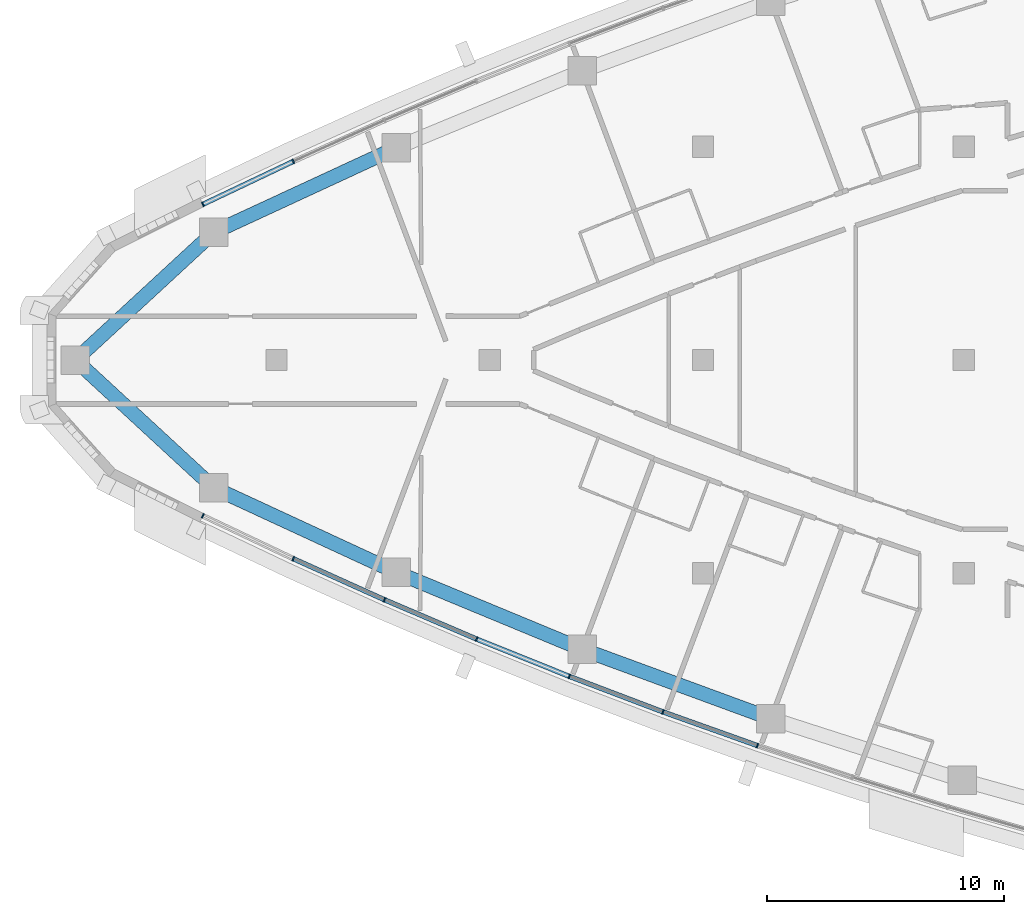
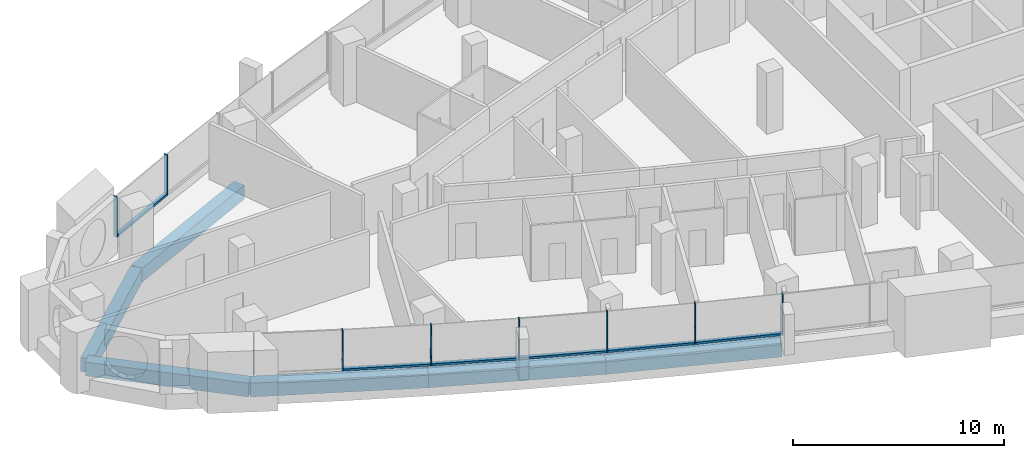
# One storey, part 2 of 16: 15 members, 6 beams, 4 elements without a shape of their own.
"""IFC4 building model written with IfcOpenShell, lengths in metres."""

from ifc_helpers import new_model, si_unit, direction, frame, origin, origin_2d, place, context, subcontext, project, spatial, rectangle, extrude, material, layer, layer_set, material_profile, profile_set, type_object, element, aggregate, save


model = new_model("IFC4")

# Units and contexts
model_context = context("Model", 3, precision=1e-05, world=origin(), true_north=direction((0.0, 1.0)))
body_context = subcontext(model_context, "Body", "Model", "MODEL_VIEW")
ifc_project = project(units=[si_unit("LENGTHUNIT", "METRE"), si_unit("AREAUNIT", "SQUARE_METRE"), si_unit("VOLUMEUNIT", "CUBIC_METRE"), si_unit("PLANEANGLEUNIT", "RADIAN"), si_unit("MASSUNIT", "GRAM", prefix="KILO")], contexts=[model_context])

# Site, building, storey
site_placement = place(None, origin())
site = spatial("IfcSite", under=ifc_project, at=site_placement, CompositionType="ELEMENT")
building_placement = place(site_placement, origin())
building = spatial("IfcBuilding", under=site, at=building_placement, Name="Ostrand Prow Hotel Tower", CompositionType="ELEMENT")
storey_placement = place(building_placement, frame((0.0, 0.0, 220.800048828125)))
storey = spatial("IfcBuildingStorey", under=building, at=storey_placement, Name="L55", CompositionType="ELEMENT", Elevation=220.800048828125)

# Beams
ifc_material_1 = material(Name="Concrete C50/60", Category="concrete")
ifc_material_profile_1 = material_profile(ifc_material_1, rectangle(XDim=0.60009765625, YDim=0.800048828125, at=origin_2d()), Name="RC 600x800")
ifc_profile_set_1 = profile_set([ifc_material_profile_1], Name="Concrete C50/60")
beam_type = type_object("IfcBeamType", Name="Edge beam 600x800 C50/60", PredefinedType="SPANDREL", material=ifc_profile_set_1)
beam_1_placement = place(storey_placement, frame((7.513916015625, 0.0, -0.699951171875), z_axis=(0.734806976358, -0.678276276672, 0.0), x_axis=(0.678276276672, 0.734806976358, 0.0)))
element("IfcBeam", 1, at=beam_1_placement, inside=storey, type_object=beam_type, Name="Edge beam P-S1", PredefinedType="SPANDREL", context=body_context, shape_type="SweptSolid", body=[
    extrude(rectangle(XDim=0.60009765625, YDim=0.800048828125, at=origin_2d()), origin(), (0.0, 0.0, 1.0), 7.95068359375),
])
beam_2_placement = place(storey_placement, frame((13.356201171875, -5.392822265625, -0.699951171875), z_axis=(0.907521936352, -0.420004684544, 0.0), x_axis=(0.420004684544, 0.907521936352, 0.0)))
element("IfcBeam", 2, at=beam_2_placement, inside=storey, type_object=beam_type, Name="Edge beam S1-S2", PredefinedType="SPANDREL", context=body_context, shape_type="SweptSolid", body=[
    extrude(rectangle(XDim=0.60009765625, YDim=0.800048828125, at=origin_2d()), origin(), (0.0, 0.0, 1.0), 8.4873046875),
])
for number, where, z_axis, x_axis, name in (
    (3, (21.05859375, -8.95751953125, -0.699951171875), (0.923890977326, -0.38265580097, 0.0), (0.38265580097, 0.923890977326, 0.0), "Edge beam S2-S3"),
    (4, (28.900146484375, -12.205322265625, -0.699951171875), (0.938684959139, -0.344776083113, 0.0), (0.344776083113, 0.938684959139, 0.0), "Edge beam S3-S4"),
):
    element("IfcBeam", number, at=place(storey_placement, frame(where, z_axis=z_axis, x_axis=x_axis)), inside=storey, type_object=beam_type, Name=name, PredefinedType="SPANDREL", context=body_context, shape_type="SweptSolid", body=[
        extrude(rectangle(XDim=0.60009765625, YDim=0.800048828125, at=origin_2d()), origin(), (0.0, 0.0, 1.0), 8.487548828125),
    ])
beam_3_placement = place(storey_placement, frame((21.05859375, 8.95751953125, -0.699951171875), z_axis=(-0.907521936352, -0.420004684544, 0.0), x_axis=(0.420004684544, -0.907521936352, 0.0)))
element("IfcBeam", 5, at=beam_3_placement, inside=storey, type_object=beam_type, Name="Edge beam N5-N6", PredefinedType="SPANDREL", context=body_context, shape_type="SweptSolid", body=[
    extrude(rectangle(XDim=0.60009765625, YDim=0.800048828125, at=origin_2d()), origin(), (0.0, 0.0, 1.0), 8.4873046875),
])
beam_4_placement = place(storey_placement, frame((13.356201171875, 5.392822265625, -0.699951171875), z_axis=(-0.734806976358, -0.678276276672, 0.0), x_axis=(0.678276276672, -0.734806976358, 0.0)))
element("IfcBeam", 6, at=beam_4_placement, inside=storey, type_object=beam_type, Name="Edge beam N6-P", PredefinedType="SPANDREL", context=body_context, shape_type="SweptSolid", body=[
    extrude(rectangle(XDim=0.60009765625, YDim=0.800048828125, at=origin_2d()), origin(), (0.0, 0.0, 1.0), 7.95068359375),
])

# Curtain wall, members
ifc_material_2 = material(Name="Insulated glass in bronze anodised frame", Category="glass")
ifc_layer = layer(ifc_material_2, 0.199951171875)
ifc_layer_set = layer_set([ifc_layer], Name="Insulated glass in bronze anodised frame")
curtain_wall_type = type_object("IfcCurtainWallType", Name="Strip curtain wall, fritted glass over bronze spandrel", PredefinedType="NOTDEFINED", material=ifc_layer_set)
curtain_wall_1_placement = place(storey_placement, origin())
curtain_wall_1 = element("IfcCurtainWall", 7, at=curtain_wall_1_placement, inside=storey, type_object=curtain_wall_type, Name="CW1 run CWS1", PredefinedType="NOTDEFINED")
ifc_material_3 = material(Name="Bronze anodised aluminium", Category="aluminium")
ifc_material_profile_2 = material_profile(ifc_material_3, rectangle(XDim=0.199951171875, YDim=0.06005859375, at=origin_2d()), Name="Mullion 60x200 bronze anodised aluminium")
ifc_profile_set_2 = profile_set([ifc_material_profile_2], Name="Bronze anodised aluminium")
member_type_1 = type_object("IfcMemberType", Name="Mullion 60x200 bronze anodised aluminium", PredefinedType="MULLION", material=ifc_profile_set_2)
member_1_placement = place(storey_placement, frame((12.893310546875, -6.57080078125, 0.89990234375), z_axis=(0.0, 0.0, 1.0), x_axis=(0.428861030937, 0.903370475577, 0.0)))
member_1 = element("IfcMember", 8, at=member_1_placement, type_object=member_type_1, Name="CW1 mullion 1", PredefinedType="MULLION", context=body_context, shape_type="SweptSolid", body=[
    extrude(rectangle(XDim=0.199951171875, YDim=0.06005859375, at=origin_2d()), origin(), (0.0, 0.0, 1.0), 2.35009765625),
])
member_2_placement = place(storey_placement, frame((16.708740234375, -8.382080078125, 0.89990234375), z_axis=(0.0, 0.0, 1.0), x_axis=(0.41058199404, 0.911823681514, 0.0)))
member_2 = element("IfcMember", 9, at=member_2_placement, type_object=member_type_1, Name="CW1 mullion 2", PredefinedType="MULLION", context=body_context, shape_type="SweptSolid", body=[
    extrude(rectangle(XDim=0.199951171875, YDim=0.06005859375, at=origin_2d()), origin(), (0.0, 0.0, 1.0), 2.35009765625),
])
member_3_placement = place(storey_placement, frame((20.56005859375, -10.116455078125, 0.89990234375), z_axis=(0.0, 0.0, 1.0), x_axis=(0.41058199404, 0.911823681514, 0.0)))
member_3 = element("IfcMember", 10, at=member_3_placement, type_object=member_type_1, Name="CW1 mullion 3", PredefinedType="MULLION", context=body_context, shape_type="SweptSolid", body=[
    extrude(rectangle(XDim=0.199951171875, YDim=0.06005859375, at=origin_2d()), origin(), (0.0, 0.0, 1.0), 2.35009765625),
])

curtain_wall_2_placement = place(storey_placement, origin())
curtain_wall_2 = element("IfcCurtainWall", 11, at=curtain_wall_2_placement, inside=storey, type_object=curtain_wall_type, Name="CW1 run CWS2", PredefinedType="NOTDEFINED")
member_4_placement = place(storey_placement, frame((24.445556640625, -11.772705078125, 0.89990234375), z_axis=(0.0, 0.0, 1.0), x_axis=(0.373533449004, 0.927616710972, 0.0)))
member_4 = element("IfcMember", 12, at=member_4_placement, type_object=member_type_1, Name="CW1 mullion 2", PredefinedType="MULLION", context=body_context, shape_type="SweptSolid", body=[
    extrude(rectangle(XDim=0.199951171875, YDim=0.06005859375, at=origin_2d()), origin(), (0.0, 0.0, 1.0), 2.35009765625),
])
member_5_placement = place(storey_placement, frame((28.363525390625, -13.350341796875, 0.89990234375), z_axis=(0.0, 0.0, 1.0), x_axis=(0.373533449004, 0.927616710972, 0.0)))
member_5 = element("IfcMember", 13, at=member_5_placement, type_object=member_type_1, Name="CW1 mullion 3", PredefinedType="MULLION", context=body_context, shape_type="SweptSolid", body=[
    extrude(rectangle(XDim=0.199951171875, YDim=0.06005859375, at=origin_2d()), origin(), (0.0, 0.0, 1.0), 2.35009765625),
])

curtain_wall_3_placement = place(storey_placement, origin())
curtain_wall_3 = element("IfcCurtainWall", 14, at=curtain_wall_3_placement, inside=storey, type_object=curtain_wall_type, Name="CW1 run CWS3", PredefinedType="NOTDEFINED")
member_6_placement = place(storey_placement, frame((32.3125, -14.848876953125, 0.89990234375), z_axis=(0.0, 0.0, 1.0), x_axis=(0.335877383374, 0.941905718922, 0.0)))
member_6 = element("IfcMember", 15, at=member_6_placement, type_object=member_type_1, Name="CW1 mullion 2", PredefinedType="MULLION", context=body_context, shape_type="SweptSolid", body=[
    extrude(rectangle(XDim=0.199951171875, YDim=0.06005859375, at=origin_2d()), origin(), (0.0, 0.0, 1.0), 2.35009765625),
])
member_7_placement = place(storey_placement, frame((36.291015625, -16.267578125, 0.89990234375), z_axis=(0.0, 0.0, 1.0), x_axis=(0.335877383374, 0.941905718922, 0.0)))
member_7 = element("IfcMember", 16, at=member_7_placement, type_object=member_type_1, Name="CW1 mullion 3", PredefinedType="MULLION", context=body_context, shape_type="SweptSolid", body=[
    extrude(rectangle(XDim=0.199951171875, YDim=0.06005859375, at=origin_2d()), origin(), (0.0, 0.0, 1.0), 2.35009765625),
])

curtain_wall_4_placement = place(storey_placement, origin())
curtain_wall_4 = element("IfcCurtainWall", 17, at=curtain_wall_4_placement, inside=storey, type_object=curtain_wall_type, Name="CW1 run CWN5", PredefinedType="NOTDEFINED")
member_8_placement = place(storey_placement, frame((16.708740234375, 8.382080078125, 0.89990234375), z_axis=(0.0, 0.0, 1.0), x_axis=(0.428861030937, -0.903370475577, 0.0)))
member_8 = element("IfcMember", 18, at=member_8_placement, type_object=member_type_1, Name="CW1 mullion 2", PredefinedType="MULLION", context=body_context, shape_type="SweptSolid", body=[
    extrude(rectangle(XDim=0.199951171875, YDim=0.06005859375, at=origin_2d()), origin(), (0.0, 0.0, 1.0), 2.35009765625),
])
member_9_placement = place(storey_placement, frame((12.893310546875, 6.57080078125, 0.89990234375), z_axis=(0.0, 0.0, 1.0), x_axis=(0.428861030937, -0.903370475577, 0.0)))
member_9 = element("IfcMember", 19, at=member_9_placement, type_object=member_type_1, Name="CW1 mullion 3", PredefinedType="MULLION", context=body_context, shape_type="SweptSolid", body=[
    extrude(rectangle(XDim=0.199951171875, YDim=0.06005859375, at=origin_2d()), origin(), (0.0, 0.0, 1.0), 2.35009765625),
])

# Member
ifc_material_4 = material(Name="Bronze anodised aluminium", Category="aluminium")
ifc_material_profile_3 = material_profile(ifc_material_4, rectangle(XDim=0.199951171875, YDim=0.1201171875, at=origin_2d()), Name="Transom 120x200 bronze anodised aluminium")
ifc_profile_set_3 = profile_set([ifc_material_profile_3], Name="Bronze anodised aluminium")
member_type_2 = type_object("IfcMemberType", Name="Transom 120x200 bronze anodised aluminium", PredefinedType="USERDEFINED", material=ifc_profile_set_3)
member_10_placement = place(storey_placement, frame((16.736083984375, -8.39453125, 0.9599609375), z_axis=(0.911832617051, -0.410562149353, 0.0), x_axis=(0.410562149353, 0.911832617051, 0.0)))
member_10 = element("IfcMember", 20, at=member_10_placement, type_object=member_type_2, Name="CW1 transom 2.1", ObjectType="TRANSOM", PredefinedType="USERDEFINED", context=body_context, shape_type="SweptSolid", body=[
    extrude(rectangle(XDim=0.199951171875, YDim=0.1201171875, at=origin_2d()), origin(), (0.0, 0.0, 1.0), 4.163818359375),
])

aggregate(curtain_wall_1, [member_1, member_2, member_3, member_10])

member_11_placement = place(storey_placement, frame((20.587646484375, -10.128173828125, 0.9599609375), z_axis=(0.919904541337, -0.392142365509, 0.0), x_axis=(0.392142365509, 0.919904541337, 0.0)))
member_11 = element("IfcMember", 21, at=member_11_placement, type_object=member_type_2, Name="CW1 transom 1.1", ObjectType="TRANSOM", PredefinedType="USERDEFINED", context=body_context, shape_type="SweptSolid", body=[
    extrude(rectangle(XDim=0.199951171875, YDim=0.1201171875, at=origin_2d()), origin(), (0.0, 0.0, 1.0), 4.163818359375),
])

member_12_placement = place(storey_placement, frame((24.473388671875, -11.783935546875, 0.9599609375), z_axis=(0.927625049372, -0.373512741119, 0.0), x_axis=(0.373512741119, 0.927625049372, 0.0)))
member_12 = element("IfcMember", 22, at=member_12_placement, type_object=member_type_2, Name="CW1 transom 2.1", ObjectType="TRANSOM", PredefinedType="USERDEFINED", context=body_context, shape_type="SweptSolid", body=[
    extrude(rectangle(XDim=0.199951171875, YDim=0.1201171875, at=origin_2d()), origin(), (0.0, 0.0, 1.0), 4.16357421875),
])

aggregate(curtain_wall_2, [member_4, member_5, member_11, member_12])

member_13_placement = place(storey_placement, frame((28.3916015625, -13.361083984375, 0.9599609375), z_axis=(0.934960644813, -0.354751451936, 0.0), x_axis=(0.354751451936, 0.934960644813, 0.0)))
member_13 = element("IfcMember", 23, at=member_13_placement, type_object=member_type_2, Name="CW1 transom 1.1", ObjectType="TRANSOM", PredefinedType="USERDEFINED", context=body_context, shape_type="SweptSolid", body=[
    extrude(rectangle(XDim=0.199951171875, YDim=0.1201171875, at=origin_2d()), origin(), (0.0, 0.0, 1.0), 4.16357421875),
])

member_14_placement = place(storey_placement, frame((32.3408203125, -14.85888671875, 0.9599609375), z_axis=(0.941911594104, -0.335860907061, 0.0), x_axis=(0.335860907061, 0.941911594104, 0.0)))
member_14 = element("IfcMember", 24, at=member_14_placement, type_object=member_type_2, Name="CW1 transom 2.1", ObjectType="TRANSOM", PredefinedType="USERDEFINED", context=body_context, shape_type="SweptSolid", body=[
    extrude(rectangle(XDim=0.199951171875, YDim=0.1201171875, at=origin_2d()), origin(), (0.0, 0.0, 1.0), 4.163818359375),
])

aggregate(curtain_wall_3, [member_6, member_7, member_13, member_14])

member_15_placement = place(storey_placement, frame((16.681640625, 8.369384765625, 0.9599609375), z_axis=(-0.903364977925, -0.428872611226, 0.0), x_axis=(0.428872611226, -0.903364977925, 0.0)))
member_15 = element("IfcMember", 25, at=member_15_placement, type_object=member_type_2, Name="CW1 transom 2.1", ObjectType="TRANSOM", PredefinedType="USERDEFINED", context=body_context, shape_type="SweptSolid", body=[
    extrude(rectangle(XDim=0.199951171875, YDim=0.1201171875, at=origin_2d()), origin(), (0.0, 0.0, 1.0), 4.16357421875),
])

aggregate(curtain_wall_4, [member_8, member_9, member_15])

save(model, "model.ifc")
